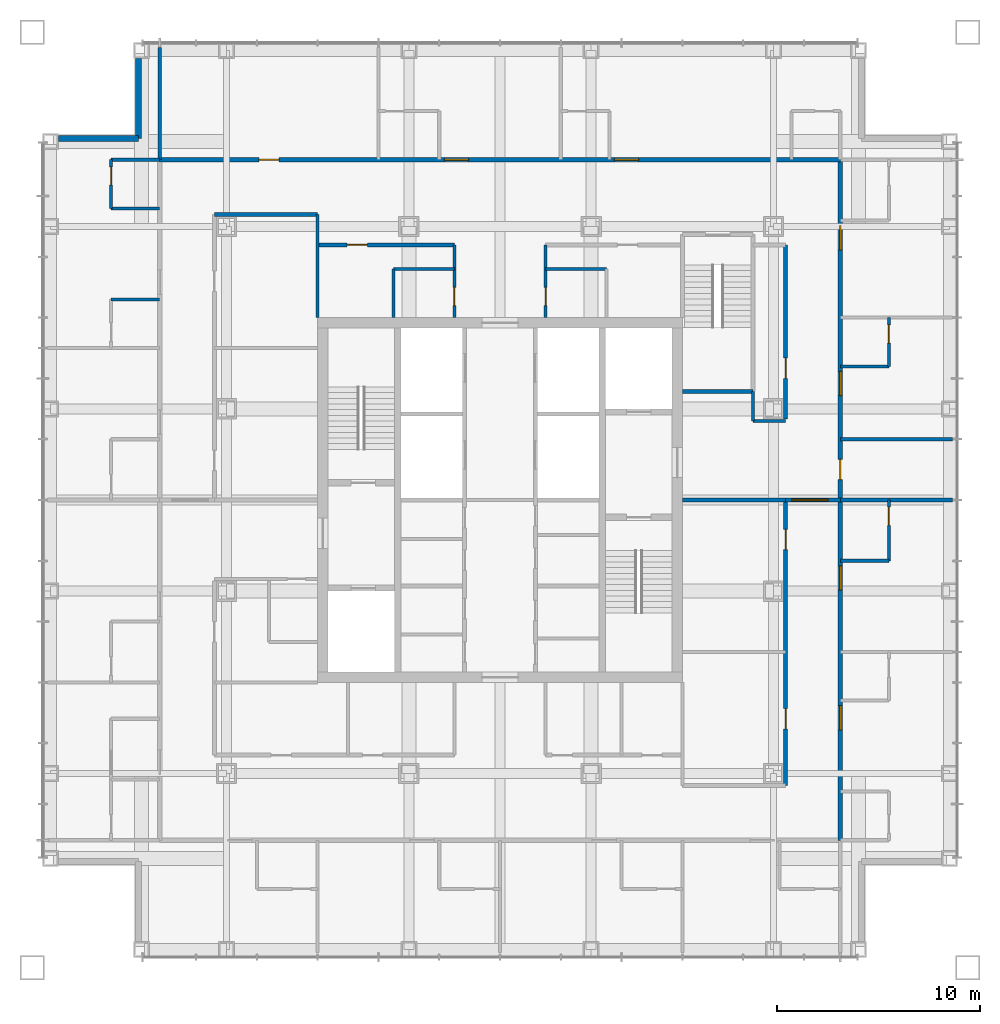
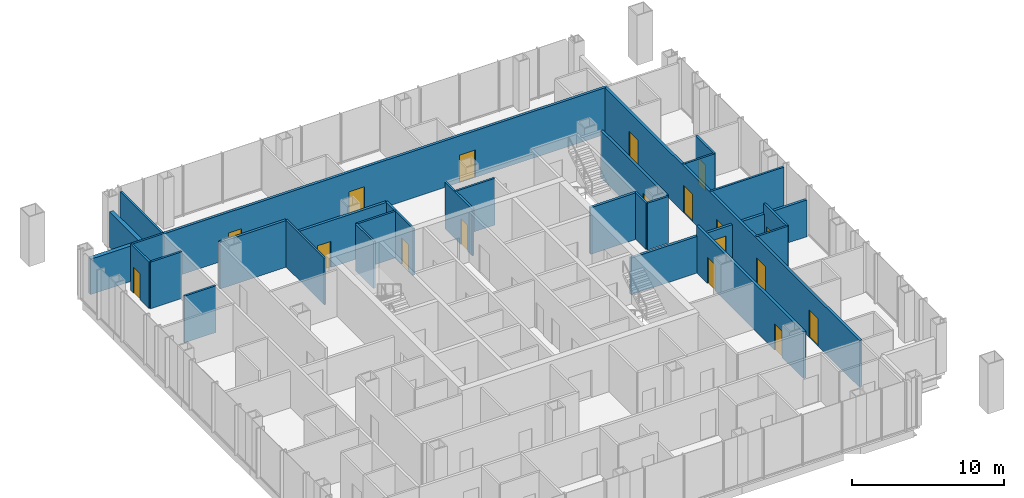
# One storey, part 9 of 11: 30 walls, 18 doors, 18 openings.
"""IFC4 building model written with IfcOpenShell, lengths in metres."""

from ifc_helpers import new_model, si_unit, direction, frame, frame_2d, origin, place, context, subcontext, project, spatial, rectangle, extrude, material, layer, layer_set, type_object, element, fill, save


model = new_model("IFC4")

# Units and contexts
model_context = context("Model", 3, precision=1e-05, world=origin(), true_north=direction((0.0, 1.0)))
body_context = subcontext(model_context, "Body", "Model", "MODEL_VIEW")
ifc_project = project(units=[si_unit("LENGTHUNIT", "METRE"), si_unit("AREAUNIT", "SQUARE_METRE"), si_unit("VOLUMEUNIT", "CUBIC_METRE"), si_unit("PLANEANGLEUNIT", "RADIAN"), si_unit("MASSUNIT", "GRAM", prefix="KILO")], contexts=[model_context])

# Site, building, storey
site_placement = place(None, origin())
site = spatial("IfcSite", under=ifc_project, at=site_placement, CompositionType="ELEMENT")
building_placement = place(site_placement, origin())
building = spatial("IfcBuilding", under=site, at=building_placement, Name="Malebo Sky Hospital", CompositionType="ELEMENT")
storey_placement = place(building_placement, frame((0.0, 0.0, 213.0)))
storey = spatial("IfcBuildingStorey", under=building, at=storey_placement, Name="L51", CompositionType="ELEMENT", Elevation=213.0)

# Wall, openings, doors
ifc_material_1 = material(Name="Gypsum board on steel studs", Category="steel")
ifc_layer_1 = layer(ifc_material_1, 0.199951171875)
ifc_layer_set_1 = layer_set([ifc_layer_1], Name="CORRIDOR WALL 200")
wall_type_1 = type_object("IfcWallType", Name="CORRIDOR WALL 200", PredefinedType="PARTITIONING", material=ifc_layer_set_1)
wall_1_placement = place(storey_placement, frame((43.199951171875, 78.800048828125, 0.0), z_axis=(0.0, 0.0, 1.0), x_axis=(1.0, 0.0, 0.0)))
wall_1 = element("IfcWall", 1, at=wall_1_placement, inside=storey, type_object=wall_type_1, Name="Corridor Wall 200 NCO", PredefinedType="PARTITIONING", context=body_context, shape_type="SweptSolid", body=[
    extrude(rectangle(XDim=33.60009765625, YDim=0.199951171875, at=frame_2d((16.800048828125, 0.0))), origin(), (0.0, 0.0, 1.0), 3.75),
])
opening_1_placement = place(wall_1_placement, frame((4.89990234375, 0.0, 0.0)))
opening_1 = element("IfcOpeningElement", 2, at=opening_1_placement, cuts=wall_1, Name="Opening D03", PredefinedType="OPENING", context=body_context, shape_type="SweptSolid", body=[
    extrude(rectangle(XDim=1.0, YDim=2.10009765625, at=frame_2d((0.5, 1.050048828125))), frame((0.0, 0.10986328125, 0.0), z_axis=(0.0, -1.0, 0.0), x_axis=(1.0, 0.0, 0.0)), (0.0, 0.0, 1.0), 0.219970703125),
])
opening_2_placement = place(wall_1_placement, frame((14.050048828125, 0.0, 0.0)))
opening_2 = element("IfcOpeningElement", 3, at=opening_2_placement, cuts=wall_1, Name="Opening D01", PredefinedType="OPENING", context=body_context, shape_type="SweptSolid", body=[
    extrude(rectangle(XDim=1.199951171875, YDim=2.199951171875, at=frame_2d((0.60009765625, 1.10009765625))), frame((0.0, 0.10986328125, 0.0), z_axis=(0.0, -1.0, 0.0), x_axis=(1.0, 0.0, 0.0)), (0.0, 0.0, 1.0), 0.219970703125),
])
opening_3_placement = place(wall_1_placement, frame((22.449951171875, 0.0, 0.0)))
opening_3 = element("IfcOpeningElement", 4, at=opening_3_placement, cuts=wall_1, Name="Opening D01", PredefinedType="OPENING", context=body_context, shape_type="SweptSolid", body=[
    extrude(rectangle(XDim=1.199951171875, YDim=2.199951171875, at=frame_2d((0.60009765625, 1.10009765625))), frame((0.0, 0.10986328125, 0.0), z_axis=(0.0, -1.0, 0.0), x_axis=(1.0, 0.0, 0.0)), (0.0, 0.0, 1.0), 0.219970703125),
])
ifc_material_2 = material(Name="Hardwood-faced door leaf in steel frame", Category="steel")
door_type_1 = type_object("IfcDoorType", Name="BED DOOR 1200", OperationType="SINGLE_SWING_LEFT", PredefinedType="DOOR", material=ifc_material_2)
door_1_placement = place(opening_2_placement, origin())
door_1 = element("IfcDoor", 5, at=door_1_placement, inside=storey, type_object=door_type_1, Name="Two-bed room door", OperationType="SINGLE_SWING_LEFT", OverallHeight=2.199951171875, OverallWidth=1.199951171875, PredefinedType="DOOR", context=body_context, shape_type="SweptSolid", body=[
    extrude(rectangle(XDim=1.199951171875, YDim=2.199951171875, at=frame_2d((0.60009765625, 1.10009765625))), frame((0.0, 0.02490234375, 0.0), z_axis=(0.0, -1.0, 0.0), x_axis=(1.0, 0.0, 0.0)), (0.0, 0.0, 1.0), 0.050048828125),
])
fill(opening_2, door_1)
door_2_placement = place(opening_3_placement, origin())
door_2 = element("IfcDoor", 6, at=door_2_placement, inside=storey, type_object=door_type_1, Name="Four-bed bay door", OperationType="SINGLE_SWING_LEFT", OverallHeight=2.199951171875, OverallWidth=1.199951171875, PredefinedType="DOOR", context=body_context, shape_type="SweptSolid", body=[
    extrude(rectangle(XDim=1.199951171875, YDim=2.199951171875, at=frame_2d((0.60009765625, 1.10009765625))), frame((0.0, 0.02490234375, 0.0), z_axis=(0.0, -1.0, 0.0), x_axis=(1.0, 0.0, 0.0)), (0.0, 0.0, 1.0), 0.050048828125),
])
fill(opening_3, door_2)
door_type_2 = type_object("IfcDoorType", Name="ROOM DOOR 1000", OperationType="SINGLE_SWING_LEFT", PredefinedType="DOOR", material=ifc_material_2)
door_3_placement = place(opening_1_placement, origin())
door_3 = element("IfcDoor", 7, at=door_3_placement, inside=storey, type_object=door_type_2, Name="Play room door", OperationType="SINGLE_SWING_LEFT", OverallHeight=2.10009765625, OverallWidth=1.0, PredefinedType="DOOR", context=body_context, shape_type="SweptSolid", body=[
    extrude(rectangle(XDim=1.0, YDim=2.10009765625, at=frame_2d((0.5, 1.050048828125))), frame((0.0, 0.02490234375, 0.0), z_axis=(0.0, -1.0, 0.0), x_axis=(1.0, 0.0, 0.0)), (0.0, 0.0, 1.0), 0.050048828125),
])
fill(opening_1, door_3)

# Wall
wall_2_placement = place(storey_placement, frame((45.89990234375, 76.10009765625, 0.0), z_axis=(0.0, 0.0, 1.0), x_axis=(1.0, 0.0, 0.0)))
element("IfcWall", 8, at=wall_2_placement, inside=storey, type_object=wall_type_1, Name="Corridor Wall 200 NCIK", PredefinedType="PARTITIONING", context=body_context, shape_type="SweptSolid", body=[
    extrude(rectangle(XDim=5.10009765625, YDim=0.199951171875, at=frame_2d((2.550048828125, 0.0))), origin(), (0.0, 0.0, 1.0), 3.75),
])

# Wall, opening, door
wall_3_placement = place(storey_placement, frame((51.0, 74.60009765625, 0.0), z_axis=(0.0, 0.0, 1.0), x_axis=(1.0, 0.0, 0.0)))
wall_3 = element("IfcWall", 9, at=wall_3_placement, inside=storey, type_object=wall_type_1, Name="Corridor Wall 200 NCI1", PredefinedType="PARTITIONING", context=body_context, shape_type="SweptSolid", body=[
    extrude(rectangle(XDim=6.75, YDim=0.199951171875, at=frame_2d((3.375, 0.0))), origin(), (0.0, 0.0, 1.0), 3.75),
])
opening_4_placement = place(wall_3_placement, frame((1.449951171875, 0.0, 0.0)))
opening_4 = element("IfcOpeningElement", 10, at=opening_4_placement, cuts=wall_3, Name="Opening D03", PredefinedType="OPENING", context=body_context, shape_type="SweptSolid", body=[
    extrude(rectangle(XDim=1.0, YDim=2.10009765625, at=frame_2d((0.5, 1.050048828125))), frame((0.0, 0.10986328125, 0.0), z_axis=(0.0, -1.0, 0.0), x_axis=(1.0, 0.0, 0.0)), (0.0, 0.0, 1.0), 0.219970703125),
])
door_4_placement = place(opening_4_placement, origin())
door_4 = element("IfcDoor", 11, at=door_4_placement, inside=storey, type_object=door_type_2, Name="Sensory room door", OperationType="SINGLE_SWING_LEFT", OverallHeight=2.10009765625, OverallWidth=1.0, PredefinedType="DOOR", context=body_context, shape_type="SweptSolid", body=[
    extrude(rectangle(XDim=1.0, YDim=2.10009765625, at=frame_2d((0.5, 1.050048828125))), frame((0.0, 0.02490234375, 0.0), z_axis=(0.0, -1.0, 0.0), x_axis=(1.0, 0.0, 0.0)), (0.0, 0.0, 1.0), 0.050048828125),
])
fill(opening_4, door_4)

# Wall, openings, doors
wall_4_placement = place(storey_placement, frame((76.800048828125, 78.800048828125, 0.0), z_axis=(0.0, 0.0, 1.0), x_axis=(0.0, -1.0, 0.0)))
wall_4 = element("IfcWall", 12, at=wall_4_placement, inside=storey, type_object=wall_type_1, Name="Corridor Wall 200 ECO", PredefinedType="PARTITIONING", context=body_context, shape_type="SweptSolid", body=[
    extrude(rectangle(XDim=33.60009765625, YDim=0.199951171875, at=frame_2d((16.800048828125, 0.0))), origin(), (0.0, 0.0, 1.0), 3.75),
])
opening_5_placement = place(wall_4_placement, frame((3.25, 0.0, 0.0)))
opening_5 = element("IfcOpeningElement", 13, at=opening_5_placement, cuts=wall_4, Name="Opening D01", PredefinedType="OPENING", context=body_context, shape_type="SweptSolid", body=[
    extrude(rectangle(XDim=1.199951171875, YDim=2.199951171875, at=frame_2d((0.60009765625, 1.10009765625))), frame((0.0, 0.10986328125, 0.0), z_axis=(0.0, -1.0, 0.0), x_axis=(1.0, 0.0, 0.0)), (0.0, 0.0, 1.0), 0.219970703125),
])
opening_6_placement = place(wall_4_placement, frame((10.449951171875, 0.0, 0.0)))
opening_6 = element("IfcOpeningElement", 14, at=opening_6_placement, cuts=wall_4, Name="Opening D01", PredefinedType="OPENING", context=body_context, shape_type="SweptSolid", body=[
    extrude(rectangle(XDim=1.199951171875, YDim=2.199951171875, at=frame_2d((0.60009765625, 1.10009765625))), frame((0.0, 0.10986328125, 0.0), z_axis=(0.0, -1.0, 0.0), x_axis=(1.0, 0.0, 0.0)), (0.0, 0.0, 1.0), 0.219970703125),
])
opening_7_placement = place(wall_4_placement, frame((14.800048828125, 0.0, 0.0)))
opening_7 = element("IfcOpeningElement", 15, at=opening_7_placement, cuts=wall_4, Name="Opening D03", PredefinedType="OPENING", context=body_context, shape_type="SweptSolid", body=[
    extrude(rectangle(XDim=1.0, YDim=2.10009765625, at=frame_2d((0.5, 1.050048828125))), frame((0.0, 0.10986328125, 0.0), z_axis=(0.0, -1.0, 0.0), x_axis=(1.0, 0.0, 0.0)), (0.0, 0.0, 1.0), 0.219970703125),
])
opening_8_placement = place(wall_4_placement, frame((20.050048828125, 0.0, 0.0)))
opening_8 = element("IfcOpeningElement", 16, at=opening_8_placement, cuts=wall_4, Name="Opening D01", PredefinedType="OPENING", context=body_context, shape_type="SweptSolid", body=[
    extrude(rectangle(XDim=1.199951171875, YDim=2.199951171875, at=frame_2d((0.60009765625, 1.10009765625))), frame((0.0, 0.10986328125, 0.0), z_axis=(0.0, -1.0, 0.0), x_axis=(1.0, 0.0, 0.0)), (0.0, 0.0, 1.0), 0.219970703125),
])
opening_9_placement = place(wall_4_placement, frame((26.949951171875, 0.0, 0.0)))
opening_9 = element("IfcOpeningElement", 17, at=opening_9_placement, cuts=wall_4, Name="Opening D01", PredefinedType="OPENING", context=body_context, shape_type="SweptSolid", body=[
    extrude(rectangle(XDim=1.199951171875, YDim=2.199951171875, at=frame_2d((0.60009765625, 1.10009765625))), frame((0.0, 0.10986328125, 0.0), z_axis=(0.0, -1.0, 0.0), x_axis=(1.0, 0.0, 0.0)), (0.0, 0.0, 1.0), 0.219970703125),
])
door_5_placement = place(opening_5_placement, origin())
door_5 = element("IfcDoor", 18, at=door_5_placement, inside=storey, type_object=door_type_1, Name="Two-bed room door", OperationType="SINGLE_SWING_LEFT", OverallHeight=2.199951171875, OverallWidth=1.199951171875, PredefinedType="DOOR", context=body_context, shape_type="SweptSolid", body=[
    extrude(rectangle(XDim=1.199951171875, YDim=2.199951171875, at=frame_2d((0.60009765625, 1.10009765625))), frame((0.0, 0.02490234375, 0.0), z_axis=(0.0, -1.0, 0.0), x_axis=(1.0, 0.0, 0.0)), (0.0, 0.0, 1.0), 0.050048828125),
])
fill(opening_5, door_5)
door_6_placement = place(opening_6_placement, origin())
door_6 = element("IfcDoor", 19, at=door_6_placement, inside=storey, type_object=door_type_1, Name="Parent room door", OperationType="SINGLE_SWING_LEFT", OverallHeight=2.199951171875, OverallWidth=1.199951171875, PredefinedType="DOOR", context=body_context, shape_type="SweptSolid", body=[
    extrude(rectangle(XDim=1.199951171875, YDim=2.199951171875, at=frame_2d((0.60009765625, 1.10009765625))), frame((0.0, 0.02490234375, 0.0), z_axis=(0.0, -1.0, 0.0), x_axis=(1.0, 0.0, 0.0)), (0.0, 0.0, 1.0), 0.050048828125),
])
fill(opening_6, door_6)
door_7_placement = place(opening_8_placement, origin())
door_7 = element("IfcDoor", 20, at=door_7_placement, inside=storey, type_object=door_type_1, Name="Two-bed room door", OperationType="SINGLE_SWING_LEFT", OverallHeight=2.199951171875, OverallWidth=1.199951171875, PredefinedType="DOOR", context=body_context, shape_type="SweptSolid", body=[
    extrude(rectangle(XDim=1.199951171875, YDim=2.199951171875, at=frame_2d((0.60009765625, 1.10009765625))), frame((0.0, 0.02490234375, 0.0), z_axis=(0.0, -1.0, 0.0), x_axis=(1.0, 0.0, 0.0)), (0.0, 0.0, 1.0), 0.050048828125),
])
fill(opening_8, door_7)
door_8_placement = place(opening_9_placement, origin())
door_8 = element("IfcDoor", 21, at=door_8_placement, inside=storey, type_object=door_type_1, Name="Four-bed bay door", OperationType="SINGLE_SWING_LEFT", OverallHeight=2.199951171875, OverallWidth=1.199951171875, PredefinedType="DOOR", context=body_context, shape_type="SweptSolid", body=[
    extrude(rectangle(XDim=1.199951171875, YDim=2.199951171875, at=frame_2d((0.60009765625, 1.10009765625))), frame((0.0, 0.02490234375, 0.0), z_axis=(0.0, -1.0, 0.0), x_axis=(1.0, 0.0, 0.0)), (0.0, 0.0, 1.0), 0.050048828125),
])
fill(opening_9, door_8)
door_9_placement = place(opening_7_placement, origin())
door_9 = element("IfcDoor", 22, at=door_9_placement, inside=storey, type_object=door_type_2, Name="Play therapy room door", OperationType="SINGLE_SWING_RIGHT", OverallHeight=2.10009765625, OverallWidth=1.0, PredefinedType="DOOR", context=body_context, shape_type="SweptSolid", body=[
    extrude(rectangle(XDim=1.0, YDim=2.10009765625, at=frame_2d((0.5, 1.050048828125))), frame((0.0, 0.02490234375, 0.0), z_axis=(0.0, -1.0, 0.0), x_axis=(1.0, 0.0, 0.0)), (0.0, 0.0, 1.0), 0.050048828125),
])
fill(opening_7, door_9)

# Wall, opening, door
wall_5_placement = place(storey_placement, frame((74.10009765625, 74.60009765625, 0.0), z_axis=(0.0, 0.0, 1.0), x_axis=(0.0, -1.0, 0.0)))
wall_5 = element("IfcWall", 23, at=wall_5_placement, inside=storey, type_object=wall_type_1, Name="Corridor Wall 200 ECI1", PredefinedType="PARTITIONING", context=body_context, shape_type="SweptSolid", body=[
    extrude(rectangle(XDim=8.60009765625, YDim=0.199951171875, at=frame_2d((4.300048828125, 0.0))), origin(), (0.0, 0.0, 1.0), 3.75),
])
opening_10_placement = place(wall_5_placement, frame((5.60009765625, 0.0, 0.0)))
opening_10 = element("IfcOpeningElement", 24, at=opening_10_placement, cuts=wall_5, Name="Opening D03", PredefinedType="OPENING", context=body_context, shape_type="SweptSolid", body=[
    extrude(rectangle(XDim=1.0, YDim=2.10009765625, at=frame_2d((0.5, 1.050048828125))), frame((0.0, 0.10986328125, 0.0), z_axis=(0.0, -1.0, 0.0), x_axis=(1.0, 0.0, 0.0)), (0.0, 0.0, 1.0), 0.219970703125),
])
door_10_placement = place(opening_10_placement, origin())
door_10 = element("IfcDoor", 25, at=door_10_placement, inside=storey, type_object=door_type_2, Name="Dirty utility room door", OperationType="SINGLE_SWING_RIGHT", OverallHeight=2.10009765625, OverallWidth=1.0, PredefinedType="DOOR", context=body_context, shape_type="SweptSolid", body=[
    extrude(rectangle(XDim=1.0, YDim=2.10009765625, at=frame_2d((0.5, 1.050048828125))), frame((0.0, 0.02490234375, 0.0), z_axis=(0.0, -1.0, 0.0), x_axis=(1.0, 0.0, 0.0)), (0.0, 0.0, 1.0), 0.050048828125),
])
fill(opening_10, door_10)

# Wall, openings, doors
wall_6_placement = place(storey_placement, frame((74.10009765625, 62.0, 0.0), z_axis=(0.0, 0.0, 1.0), x_axis=(0.0, -1.0, 0.0)))
wall_6 = element("IfcWall", 26, at=wall_6_placement, inside=storey, type_object=wall_type_1, Name="Corridor Wall 200 ECI2", PredefinedType="PARTITIONING", context=body_context, shape_type="SweptSolid", body=[
    extrude(rectangle(XDim=14.10009765625, YDim=0.199951171875, at=frame_2d((7.050048828125, 0.0))), origin(), (0.0, 0.0, 1.0), 3.75),
])
opening_11_placement = place(wall_6_placement, frame((1.449951171875, 0.0, 0.0)))
opening_11 = element("IfcOpeningElement", 27, at=opening_11_placement, cuts=wall_6, Name="Opening D03", PredefinedType="OPENING", context=body_context, shape_type="SweptSolid", body=[
    extrude(rectangle(XDim=1.0, YDim=2.10009765625, at=frame_2d((0.5, 1.050048828125))), frame((0.0, 0.10986328125, 0.0), z_axis=(0.0, -1.0, 0.0), x_axis=(1.0, 0.0, 0.0)), (0.0, 0.0, 1.0), 0.219970703125),
])
opening_12_placement = place(wall_6_placement, frame((10.300048828125, 0.0, 0.0)))
opening_12 = element("IfcOpeningElement", 28, at=opening_12_placement, cuts=wall_6, Name="Opening D03", PredefinedType="OPENING", context=body_context, shape_type="SweptSolid", body=[
    extrude(rectangle(XDim=1.0, YDim=2.10009765625, at=frame_2d((0.5, 1.050048828125))), frame((0.0, 0.10986328125, 0.0), z_axis=(0.0, -1.0, 0.0), x_axis=(1.0, 0.0, 0.0)), (0.0, 0.0, 1.0), 0.219970703125),
])
door_11_placement = place(opening_11_placement, origin())
door_11 = element("IfcDoor", 29, at=door_11_placement, inside=storey, type_object=door_type_2, Name="Staff rest room door", OperationType="SINGLE_SWING_LEFT", OverallHeight=2.10009765625, OverallWidth=1.0, PredefinedType="DOOR", context=body_context, shape_type="SweptSolid", body=[
    extrude(rectangle(XDim=1.0, YDim=2.10009765625, at=frame_2d((0.5, 1.050048828125))), frame((0.0, 0.02490234375, 0.0), z_axis=(0.0, -1.0, 0.0), x_axis=(1.0, 0.0, 0.0)), (0.0, 0.0, 1.0), 0.050048828125),
])
fill(opening_11, door_11)
door_12_placement = place(opening_12_placement, origin())
door_12 = element("IfcDoor", 30, at=door_12_placement, inside=storey, type_object=door_type_2, Name="Staff base door", OperationType="SINGLE_SWING_RIGHT", OverallHeight=2.10009765625, OverallWidth=1.0, PredefinedType="DOOR", context=body_context, shape_type="SweptSolid", body=[
    extrude(rectangle(XDim=1.0, YDim=2.10009765625, at=frame_2d((0.5, 1.050048828125))), frame((0.0, 0.02490234375, 0.0), z_axis=(0.0, -1.0, 0.0), x_axis=(1.0, 0.0, 0.0)), (0.0, 0.0, 1.0), 0.050048828125),
])
fill(opening_12, door_12)

# Walls
ifc_material_3 = material(Name="Anodised aluminium rainscreen on steel framing", Category="steel")
ifc_layer_2 = layer(ifc_material_3, 0.300048828125)
ifc_layer_set_2 = layer_set([ifc_layer_2], Name="NOTCH RAINSCREEN WALL 300")
wall_type_2 = type_object("IfcWallType", Name="NOTCH RAINSCREEN WALL 300", PredefinedType="ELEMENTEDWALL", material=ifc_layer_set_2)
for number, where, z_axis, x_axis, name in (
    (31, (38.199951171875, 79.85009765625, 0.0), (0.0, 0.0, 1.0), (1.0, 0.0, 0.0), "Notch rainscreen wall W1 L51"),
    (32, (42.14990234375, 79.85009765625, 0.0), (0.0, 0.0, 1.0), (0.0, 1.0, 0.0), "Notch rainscreen wall W2 L51"),
):
    element("IfcWall", number, at=place(storey_placement, frame(where, z_axis=z_axis, x_axis=x_axis)), inside=storey, type_object=wall_type_2, Name=name, PredefinedType="ELEMENTEDWALL", context=body_context, shape_type="SweptSolid", body=[
        extrude(rectangle(XDim=3.949951171875, YDim=0.300048828125, at=frame_2d((1.97509765625, 0.0))), origin(), (0.0, 0.0, 1.0), 2.85009765625),
    ])
ifc_layer_3 = layer(ifc_material_1, 0.14990234375)
ifc_layer_set_3 = layer_set([ifc_layer_3], Name="PARTITION 150")
wall_type_3 = type_object("IfcWallType", Name="PARTITION 150", PredefinedType="PARTITIONING", material=ifc_layer_set_3)
wall_7_placement = place(storey_placement, frame((43.199951171875, 78.800048828125, 0.0), z_axis=(0.0, 0.0, 1.0), x_axis=(0.0, 1.0, 0.0)))
element("IfcWall", 33, at=wall_7_placement, inside=storey, type_object=wall_type_3, Name="Partition 150 NP0", PredefinedType="PARTITIONING", context=body_context, shape_type="SweptSolid", body=[
    extrude(rectangle(XDim=5.550048828125, YDim=0.14990234375, at=frame_2d((2.77490234375, 0.0))), origin(), (0.0, 0.0, 1.0), 3.75),
])
wall_8_placement = place(storey_placement, frame((51.0, 71.0, 0.0), z_axis=(0.0, 0.0, 1.0), x_axis=(0.0, 1.0, 0.0)))
element("IfcWall", 34, at=wall_8_placement, inside=storey, type_object=wall_type_3, Name="Partition 150 NSP0", PredefinedType="PARTITIONING", context=body_context, shape_type="SweptSolid", body=[
    extrude(rectangle(XDim=5.10009765625, YDim=0.14990234375, at=frame_2d((2.550048828125, 0.0))), origin(), (0.0, 0.0, 1.0), 3.75),
])

# Wall, opening, door
wall_9_placement = place(storey_placement, frame((57.75, 71.0, 0.0), z_axis=(0.0, 0.0, 1.0), x_axis=(0.0, 1.0, 0.0)))
wall_9 = element("IfcWall", 35, at=wall_9_placement, inside=storey, type_object=wall_type_3, Name="Partition 150 NSPA", PredefinedType="PARTITIONING", context=body_context, shape_type="SweptSolid", body=[
    extrude(rectangle(XDim=3.60009765625, YDim=0.14990234375, at=frame_2d((1.800048828125, 0.0))), origin(), (0.0, 0.0, 1.0), 3.75),
])
opening_13_placement = place(wall_9_placement, frame((0.60009765625, 0.0, 0.0)))
opening_13 = element("IfcOpeningElement", 36, at=opening_13_placement, cuts=wall_9, Name="Opening D04", PredefinedType="OPENING", context=body_context, shape_type="SweptSolid", body=[
    extrude(rectangle(XDim=0.89990234375, YDim=2.10009765625, at=frame_2d((0.449951171875, 1.050048828125))), frame((0.0, 0.0849609375, 0.0), z_axis=(0.0, -1.0, 0.0), x_axis=(1.0, 0.0, 0.0)), (0.0, 0.0, 1.0), 0.169921875),
])
door_type_3 = type_object("IfcDoorType", Name="ROOM DOOR 900", OperationType="SINGLE_SWING_LEFT", PredefinedType="DOOR", material=ifc_material_2)
door_13_placement = place(opening_13_placement, origin())
door_13 = element("IfcDoor", 37, at=door_13_placement, inside=storey, type_object=door_type_3, Name="Staff WC door", OperationType="SINGLE_SWING_LEFT", OverallHeight=2.10009765625, OverallWidth=0.89990234375, PredefinedType="DOOR", context=body_context, shape_type="SweptSolid", body=[
    extrude(rectangle(XDim=0.89990234375, YDim=2.10009765625, at=frame_2d((0.449951171875, 1.050048828125))), frame((0.0, 0.02490234375, 0.0), z_axis=(0.0, -1.0, 0.0), x_axis=(1.0, 0.0, 0.0)), (0.0, 0.0, 1.0), 0.050048828125),
])
fill(opening_13, door_13)

wall_10_placement = place(storey_placement, frame((62.25, 71.0, 0.0), z_axis=(0.0, 0.0, 1.0), x_axis=(0.0, 1.0, 0.0)))
wall_10 = element("IfcWall", 38, at=wall_10_placement, inside=storey, type_object=wall_type_3, Name="Partition 150 NSPB", PredefinedType="PARTITIONING", context=body_context, shape_type="SweptSolid", body=[
    extrude(rectangle(XDim=3.60009765625, YDim=0.14990234375, at=frame_2d((1.800048828125, 0.0))), origin(), (0.0, 0.0, 1.0), 3.75),
])
opening_14_placement = place(wall_10_placement, frame((0.60009765625, 0.0, 0.0)))
opening_14 = element("IfcOpeningElement", 39, at=opening_14_placement, cuts=wall_10, Name="Opening D04", PredefinedType="OPENING", context=body_context, shape_type="SweptSolid", body=[
    extrude(rectangle(XDim=0.89990234375, YDim=2.10009765625, at=frame_2d((0.449951171875, 1.050048828125))), frame((0.0, 0.0849609375, 0.0), z_axis=(0.0, -1.0, 0.0), x_axis=(1.0, 0.0, 0.0)), (0.0, 0.0, 1.0), 0.169921875),
])
door_14_placement = place(opening_14_placement, origin())
door_14 = element("IfcDoor", 40, at=door_14_placement, inside=storey, type_object=door_type_3, Name="Accessible WC door", OperationType="SINGLE_SWING_LEFT", OverallHeight=2.10009765625, OverallWidth=0.89990234375, PredefinedType="DOOR", context=body_context, shape_type="SweptSolid", body=[
    extrude(rectangle(XDim=0.89990234375, YDim=2.10009765625, at=frame_2d((0.449951171875, 1.050048828125))), frame((0.0, 0.02490234375, 0.0), z_axis=(0.0, -1.0, 0.0), x_axis=(1.0, 0.0, 0.0)), (0.0, 0.0, 1.0), 0.050048828125),
])
fill(opening_14, door_14)

# Walls
wall_11_placement = place(storey_placement, frame((54.75, 73.39990234375, 0.0), z_axis=(0.0, 0.0, 1.0), x_axis=(1.0, 0.0, 0.0)))
element("IfcWall", 41, at=wall_11_placement, inside=storey, type_object=wall_type_3, Name="Partition 150 NSX0", PredefinedType="PARTITIONING", context=body_context, shape_type="SweptSolid", body=[
    extrude(rectangle(XDim=3.0, YDim=0.14990234375, at=frame_2d((1.5, 0.0))), origin(), (0.0, 0.0, 1.0), 3.75),
])
wall_12_placement = place(storey_placement, frame((54.75, 71.0, 0.0), z_axis=(0.0, 0.0, 1.0), x_axis=(0.0, 1.0, 0.0)))
element("IfcWall", 42, at=wall_12_placement, inside=storey, type_object=wall_type_3, Name="Partition 150 NSY0", PredefinedType="PARTITIONING", context=body_context, shape_type="SweptSolid", body=[
    extrude(rectangle(XDim=2.39990234375, YDim=0.14990234375, at=frame_2d((1.199951171875, 0.0))), origin(), (0.0, 0.0, 1.0), 3.75),
])
wall_13_placement = place(storey_placement, frame((62.25, 73.39990234375, 0.0), z_axis=(0.0, 0.0, 1.0), x_axis=(1.0, 0.0, 0.0)))
element("IfcWall", 43, at=wall_13_placement, inside=storey, type_object=wall_type_3, Name="Partition 150 NSX1", PredefinedType="PARTITIONING", context=body_context, shape_type="SweptSolid", body=[
    extrude(rectangle(XDim=3.0, YDim=0.14990234375, at=frame_2d((1.5, 0.0))), origin(), (0.0, 0.0, 1.0), 3.75),
])
wall_14_placement = place(storey_placement, frame((43.199951171875, 71.89990234375, 0.0), z_axis=(0.0, 0.0, 1.0), x_axis=(-1.0, 0.0, 0.0)))
element("IfcWall", 44, at=wall_14_placement, inside=storey, type_object=wall_type_3, Name="Partition 150 WE3S", PredefinedType="PARTITIONING", context=body_context, shape_type="SweptSolid", body=[
    extrude(rectangle(XDim=2.39990234375, YDim=0.14990234375, at=frame_2d((1.199951171875, 0.0))), origin(), (0.0, 0.0, 1.0), 3.75),
])

# Wall, opening, door
wall_15_placement = place(storey_placement, frame((40.800048828125, 76.39990234375, 0.0), z_axis=(0.0, 0.0, 1.0), x_axis=(0.0, 1.0, 0.0)))
wall_15 = element("IfcWall", 45, at=wall_15_placement, inside=storey, type_object=wall_type_3, Name="Partition 150 WG3F", PredefinedType="PARTITIONING", context=body_context, shape_type="SweptSolid", body=[
    extrude(rectangle(XDim=2.400146484375, YDim=0.14990234375, at=frame_2d((1.2001953125, 0.0))), origin(), (0.0, 0.0, 1.0), 3.75),
])
opening_15_placement = place(wall_15_placement, frame((1.14990234375, 0.0, 0.0)))
opening_15 = element("IfcOpeningElement", 46, at=opening_15_placement, cuts=wall_15, Name="Opening D02", PredefinedType="OPENING", context=body_context, shape_type="SweptSolid", body=[
    extrude(rectangle(XDim=0.89990234375, YDim=2.10009765625, at=frame_2d((0.449951171875, 1.050048828125))), frame((0.0, 0.0849609375, 0.0), z_axis=(0.0, -1.0, 0.0), x_axis=(1.0, 0.0, 0.0)), (0.0, 0.0, 1.0), 0.169921875),
])
door_type_4 = type_object("IfcDoorType", Name="EN-SUITE DOOR 900", OperationType="SINGLE_SWING_LEFT", PredefinedType="DOOR", material=ifc_material_2)
door_15_placement = place(opening_15_placement, origin())
door_15 = element("IfcDoor", 47, at=door_15_placement, inside=storey, type_object=door_type_4, Name="En-suite door", OperationType="SINGLE_SWING_RIGHT", OverallHeight=2.10009765625, OverallWidth=0.89990234375, PredefinedType="DOOR", context=body_context, shape_type="SweptSolid", body=[
    extrude(rectangle(XDim=0.89990234375, YDim=2.10009765625, at=frame_2d((0.449951171875, 1.050048828125))), frame((0.0, 0.02490234375, 0.0), z_axis=(0.0, -1.0, 0.0), x_axis=(1.0, 0.0, 0.0)), (0.0, 0.0, 1.0), 0.050048828125),
])
fill(opening_15, door_15)

# Walls
for number, where, z_axis, x_axis, name in (
    (48, (43.199951171875, 76.39990234375, 0.0), (0.0, 0.0, 1.0), (-1.0, 0.0, 0.0), "Partition 150 WG3S"),
    (49, (43.199951171875, 78.800048828125, 0.0), (0.0, 0.0, 1.0), (-1.0, 0.0, 0.0), "Partition 150 WEZ"),
):
    element("IfcWall", number, at=place(storey_placement, frame(where, z_axis=z_axis, x_axis=x_axis)), inside=storey, type_object=wall_type_3, Name=name, PredefinedType="PARTITIONING", context=body_context, shape_type="SweptSolid", body=[
        extrude(rectangle(XDim=2.39990234375, YDim=0.14990234375, at=frame_2d((1.199951171875, 0.0))), origin(), (0.0, 0.0, 1.0), 3.75),
    ])
wall_16_placement = place(storey_placement, frame((76.800048828125, 65.0, 0.0), z_axis=(0.0, 0.0, 1.0), x_axis=(1.0, 0.0, 0.0)))
element("IfcWall", 50, at=wall_16_placement, inside=storey, type_object=wall_type_3, Name="Partition 150 EP-3.0", PredefinedType="PARTITIONING", context=body_context, shape_type="SweptSolid", body=[
    extrude(rectangle(XDim=5.550048828125, YDim=0.14990234375, at=frame_2d((2.77490234375, 0.0))), origin(), (0.0, 0.0, 1.0), 3.75),
])

# Wall, opening, door
wall_17_placement = place(storey_placement, frame((79.199951171875, 71.0, 0.0), z_axis=(0.0, 0.0, 1.0), x_axis=(0.0, -1.0, 0.0)))
wall_17 = element("IfcWall", 51, at=wall_17_placement, inside=storey, type_object=wall_type_3, Name="Partition 150 EE1F", PredefinedType="PARTITIONING", context=body_context, shape_type="SweptSolid", body=[
    extrude(rectangle(XDim=2.39990234375, YDim=0.14990234375, at=frame_2d((1.199951171875, 0.0))), origin(), (0.0, 0.0, 1.0), 3.75),
])
opening_16_placement = place(wall_17_placement, frame((0.35009765625, 0.0, 0.0)))
opening_16 = element("IfcOpeningElement", 52, at=opening_16_placement, cuts=wall_17, Name="Opening D02", PredefinedType="OPENING", context=body_context, shape_type="SweptSolid", body=[
    extrude(rectangle(XDim=0.89990234375, YDim=2.10009765625, at=frame_2d((0.449951171875, 1.050048828125))), frame((0.0, 0.0849609375, 0.0), z_axis=(0.0, -1.0, 0.0), x_axis=(1.0, 0.0, 0.0)), (0.0, 0.0, 1.0), 0.169921875),
])
door_16_placement = place(opening_16_placement, origin())
door_16 = element("IfcDoor", 53, at=door_16_placement, inside=storey, type_object=door_type_4, Name="En-suite door", OperationType="SINGLE_SWING_LEFT", OverallHeight=2.10009765625, OverallWidth=0.89990234375, PredefinedType="DOOR", context=body_context, shape_type="SweptSolid", body=[
    extrude(rectangle(XDim=0.89990234375, YDim=2.10009765625, at=frame_2d((0.449951171875, 1.050048828125))), frame((0.0, 0.02490234375, 0.0), z_axis=(0.0, -1.0, 0.0), x_axis=(1.0, 0.0, 0.0)), (0.0, 0.0, 1.0), 0.050048828125),
])
fill(opening_16, door_16)

# Wall
wall_18_placement = place(storey_placement, frame((76.800048828125, 68.60009765625, 0.0), z_axis=(0.0, 0.0, 1.0), x_axis=(1.0, 0.0, 0.0)))
element("IfcWall", 54, at=wall_18_placement, inside=storey, type_object=wall_type_3, Name="Partition 150 EE1S", PredefinedType="PARTITIONING", context=body_context, shape_type="SweptSolid", body=[
    extrude(rectangle(XDim=2.39990234375, YDim=0.14990234375, at=frame_2d((1.199951171875, 0.0))), origin(), (0.0, 0.0, 1.0), 3.75),
])

# Wall, opening, door
wall_19_placement = place(storey_placement, frame((79.199951171875, 62.0, 0.0), z_axis=(0.0, 0.0, 1.0), x_axis=(0.0, -1.0, 0.0)))
wall_19 = element("IfcWall", 55, at=wall_19_placement, inside=storey, type_object=wall_type_3, Name="Partition 150 EE3F", PredefinedType="PARTITIONING", context=body_context, shape_type="SweptSolid", body=[
    extrude(rectangle(XDim=3.0, YDim=0.14990234375, at=frame_2d((1.5, 0.0))), origin(), (0.0, 0.0, 1.0), 3.75),
])
opening_17_placement = place(wall_19_placement, frame((0.35009765625, 0.0, 0.0)))
opening_17 = element("IfcOpeningElement", 56, at=opening_17_placement, cuts=wall_19, Name="Opening D02", PredefinedType="OPENING", context=body_context, shape_type="SweptSolid", body=[
    extrude(rectangle(XDim=0.89990234375, YDim=2.10009765625, at=frame_2d((0.449951171875, 1.050048828125))), frame((0.0, 0.0849609375, 0.0), z_axis=(0.0, -1.0, 0.0), x_axis=(1.0, 0.0, 0.0)), (0.0, 0.0, 1.0), 0.169921875),
])
door_17_placement = place(opening_17_placement, origin())
door_17 = element("IfcDoor", 57, at=door_17_placement, inside=storey, type_object=door_type_4, Name="En-suite door", OperationType="SINGLE_SWING_LEFT", OverallHeight=2.10009765625, OverallWidth=0.89990234375, PredefinedType="DOOR", context=body_context, shape_type="SweptSolid", body=[
    extrude(rectangle(XDim=0.89990234375, YDim=2.10009765625, at=frame_2d((0.449951171875, 1.050048828125))), frame((0.0, 0.02490234375, 0.0), z_axis=(0.0, -1.0, 0.0), x_axis=(1.0, 0.0, 0.0)), (0.0, 0.0, 1.0), 0.050048828125),
])
fill(opening_17, door_17)

# Walls
wall_20_placement = place(storey_placement, frame((76.800048828125, 59.0, 0.0), z_axis=(0.0, 0.0, 1.0), x_axis=(1.0, 0.0, 0.0)))
element("IfcWall", 58, at=wall_20_placement, inside=storey, type_object=wall_type_3, Name="Partition 150 EE3S", PredefinedType="PARTITIONING", context=body_context, shape_type="SweptSolid", body=[
    extrude(rectangle(XDim=2.39990234375, YDim=0.14990234375, at=frame_2d((1.199951171875, 0.0))), origin(), (0.0, 0.0, 1.0), 3.75),
])
wall_21_placement = place(storey_placement, frame((72.5, 65.89990234375, 0.0), z_axis=(0.0, 0.0, 1.0), x_axis=(1.0, 0.0, 0.0)))
element("IfcWall", 59, at=wall_21_placement, inside=storey, type_object=wall_type_3, Name="Partition 150 ESPA", PredefinedType="PARTITIONING", context=body_context, shape_type="SweptSolid", body=[
    extrude(rectangle(XDim=1.60009765625, YDim=0.14990234375, at=frame_2d((0.800048828125, 0.0))), origin(), (0.0, 0.0, 1.0), 3.75),
])
wall_22_placement = place(storey_placement, frame((72.5, 65.89990234375, 0.0), z_axis=(0.0, 0.0, 1.0), x_axis=(0.0, 1.0, 0.0)))
element("IfcWall", 60, at=wall_22_placement, inside=storey, type_object=wall_type_3, Name="Partition 150 ST3C", PredefinedType="PARTITIONING", context=body_context, shape_type="SweptSolid", body=[
    extrude(rectangle(XDim=1.4501953125, YDim=0.14990234375, at=frame_2d((0.72509765625, 0.0))), origin(), (0.0, 0.0, 1.0), 3.75),
])
ifc_material_4 = material(Name="Concrete blockwork", Category="masonry")
ifc_layer_4 = layer(ifc_material_4, 0.199951171875)
ifc_layer_set_4 = layer_set([ifc_layer_4], Name="SMOKE BARRIER WALL 200")
wall_type_4 = type_object("IfcWallType", Name="SMOKE BARRIER WALL 200", PredefinedType="SOLIDWALL", material=ifc_layer_set_4)
wall_23_placement = place(storey_placement, frame((76.800048828125, 62.0, 0.0), z_axis=(0.0, 0.0, 1.0), x_axis=(1.0, 0.0, 0.0)))
element("IfcWall", 61, at=wall_23_placement, inside=storey, type_object=wall_type_4, Name="Smoke Barrier Wall 200 EP+0.0", PredefinedType="SOLIDWALL", context=body_context, shape_type="SweptSolid", body=[
    extrude(rectangle(XDim=5.550048828125, YDim=0.199951171875, at=frame_2d((2.77490234375, 0.0))), origin(), (0.0, 0.0, 1.0), 2.949951171875),
])
wall_24_placement = place(storey_placement, frame((69.0, 62.0, 0.0), z_axis=(0.0, 0.0, 1.0), x_axis=(1.0, 0.0, 0.0)))
element("IfcWall", 62, at=wall_24_placement, inside=storey, type_object=wall_type_4, Name="Smoke Barrier Wall 200 ESPB", PredefinedType="SOLIDWALL", context=body_context, shape_type="SweptSolid", body=[
    extrude(rectangle(XDim=5.10009765625, YDim=0.199951171875, at=frame_2d((2.550048828125, 0.0))), origin(), (0.0, 0.0, 1.0), 2.949951171875),
])

# Wall, opening, door
wall_25_placement = place(storey_placement, frame((74.10009765625, 62.0, 0.0), z_axis=(0.0, 0.0, 1.0), x_axis=(1.0, 0.0, 0.0)))
wall_25 = element("IfcWall", 63, at=wall_25_placement, inside=storey, type_object=wall_type_4, Name="Smoke Barrier Wall 200 ESB", PredefinedType="SOLIDWALL", context=body_context, shape_type="SweptSolid", body=[
    extrude(rectangle(XDim=2.699951171875, YDim=0.199951171875, at=frame_2d((1.35009765625, 0.0))), origin(), (0.0, 0.0, 1.0), 2.949951171875),
])
opening_18_placement = place(wall_25_placement, frame((0.300048828125, 0.0, 0.0)))
opening_18 = element("IfcOpeningElement", 64, at=opening_18_placement, cuts=wall_25, Name="Opening D05", PredefinedType="OPENING", context=body_context, shape_type="SweptSolid", body=[
    extrude(rectangle(XDim=1.800048828125, YDim=2.199951171875, at=frame_2d((0.89990234375, 1.10009765625))), frame((0.0, 0.10986328125, 0.0), z_axis=(0.0, -1.0, 0.0), x_axis=(1.0, 0.0, 0.0)), (0.0, 0.0, 1.0), 0.219970703125),
])
door_type_5 = type_object("IfcDoorType", Name="SMOKE DOOR PAIR 1800", OperationType="DOUBLE_DOOR_DOUBLE_SWING", PredefinedType="DOOR", material=ifc_material_2)
door_18_placement = place(opening_18_placement, origin())
door_18 = element("IfcDoor", 65, at=door_18_placement, inside=storey, type_object=door_type_5, Name="Smoke compartment door pair", OperationType="DOUBLE_DOOR_DOUBLE_SWING", OverallHeight=2.199951171875, OverallWidth=1.800048828125, PredefinedType="DOOR", context=body_context, shape_type="SweptSolid", body=[
    extrude(rectangle(XDim=1.800048828125, YDim=2.199951171875, at=frame_2d((0.89990234375, 1.10009765625))), frame((0.0, 0.02490234375, 0.0), z_axis=(0.0, -1.0, 0.0), x_axis=(1.0, 0.0, 0.0)), (0.0, 0.0, 1.0), 0.050048828125),
])
fill(opening_18, door_18)

# Wall
ifc_material_5 = material(Name="Concrete C40/50", Category="concrete")
ifc_layer_5 = layer(ifc_material_5, 0.199951171875)
ifc_layer_set_5 = layer_set([ifc_layer_5], Name="STAIR ENCLOSURE WALL 200")
wall_type_5 = type_object("IfcWallType", Name="STAIR ENCLOSURE WALL 200", PredefinedType="SOLIDWALL", material=ifc_layer_set_5)
wall_26_placement = place(storey_placement, frame((69.0, 67.35009765625, 0.0), z_axis=(0.0, 0.0, 1.0), x_axis=(1.0, 0.0, 0.0)))
element("IfcWall", 66, at=wall_26_placement, inside=storey, type_object=wall_type_5, Name="Stair Enclosure Wall 200 ST3S", PredefinedType="SOLIDWALL", context=body_context, shape_type="SweptSolid", body=[
    extrude(rectangle(XDim=3.5, YDim=0.199951171875, at=frame_2d((1.75, 0.0))), origin(), (0.0, 0.0, 1.0), 3.75),
])

save(model, "model.ifc")
